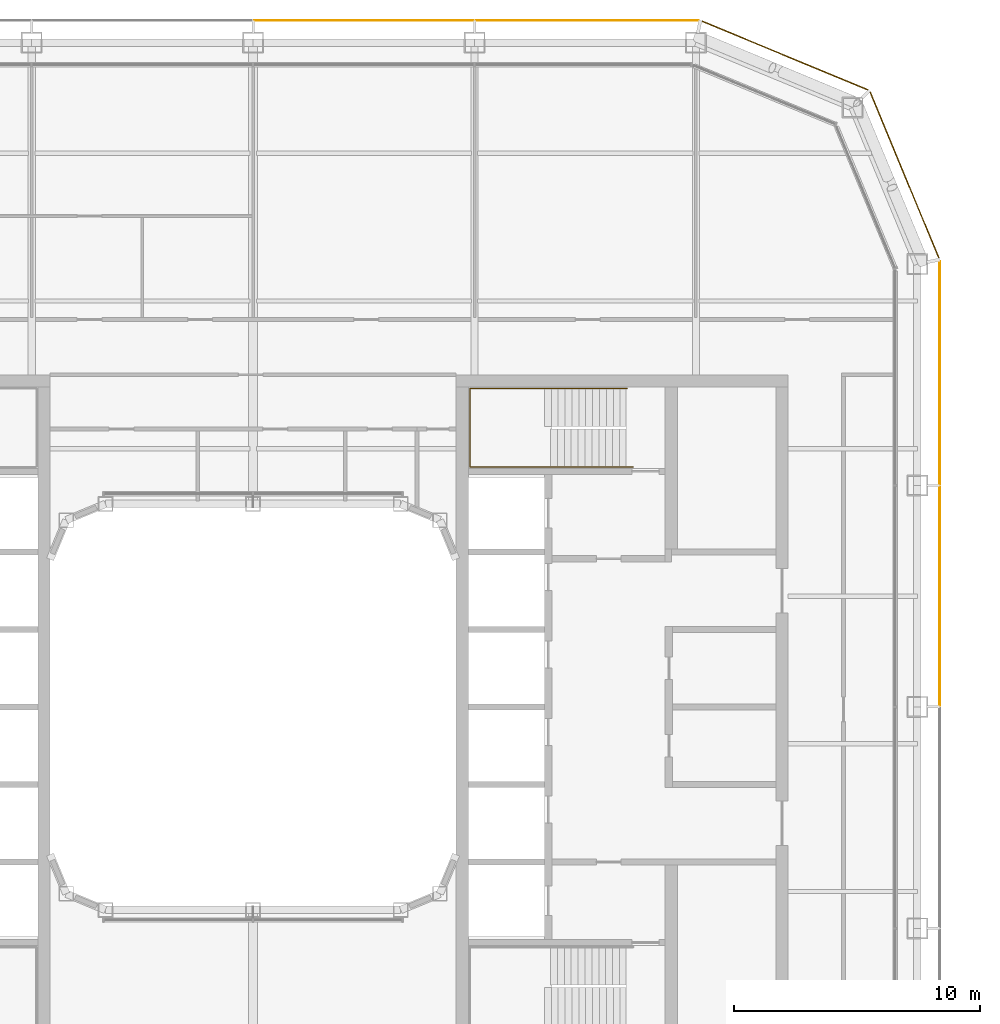
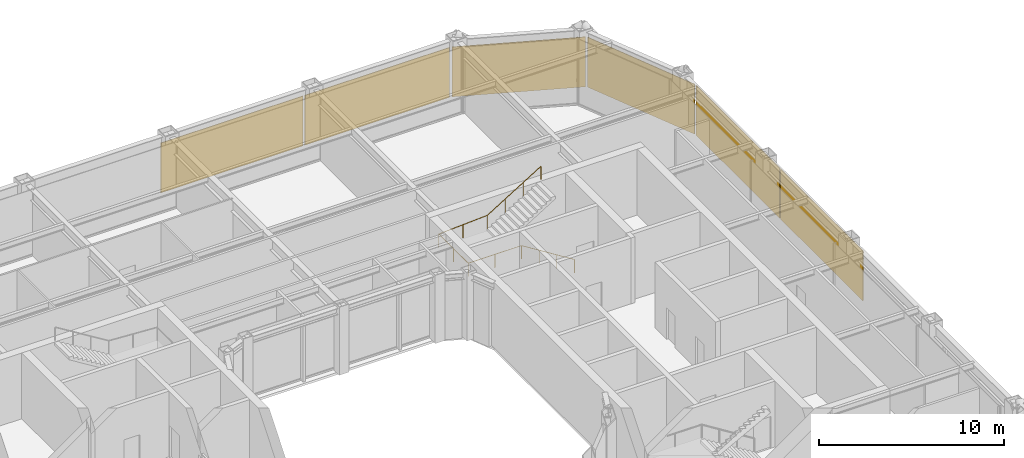
# One storey, part 21 of 22: 6 coverings, 1 railing.
"""IFC4 building model written with IfcOpenShell, lengths in metres."""

from ifc_helpers import new_model, si_unit, direction, frame, origin, origin_2d, place, context, subcontext, project, spatial, rectangle, circle, extrude, material, layer, layer_set, type_object, element, save


model = new_model("IFC4")

# Units and contexts
model_context = context("Model", 3, precision=1e-05, world=origin(), true_north=direction((0.0, 1.0)))
body_context = subcontext(model_context, "Body", "Model", "MODEL_VIEW")
ifc_project = project(units=[si_unit("LENGTHUNIT", "METRE"), si_unit("AREAUNIT", "SQUARE_METRE"), si_unit("VOLUMEUNIT", "CUBIC_METRE"), si_unit("PLANEANGLEUNIT", "RADIAN"), si_unit("MASSUNIT", "GRAM", prefix="KILO")], contexts=[model_context])

# Site, building, storey
site_placement = place(None, origin())
site = spatial("IfcSite", under=ifc_project, at=site_placement, CompositionType="ELEMENT")
building_placement = place(site_placement, origin())
building = spatial("IfcBuilding", under=site, at=building_placement, Name="Siwar Civic Tower", CompositionType="ELEMENT")
storey_placement = place(building_placement, frame((0.0, 0.0, 219.699951171875)))
storey = spatial("IfcBuildingStorey", under=building, at=storey_placement, Name="L47", CompositionType="ELEMENT", Elevation=219.699951171875)

# Railing
ifc_material_1 = material(Name="Stainless steel", Category="steel")
railing_type = type_object("IfcRailingType", Name="CORE-STAIR-HANDRAIL", PredefinedType="HANDRAIL", material=ifc_material_1)
railing_placement = place(storey_placement, frame((15.449951171875, 9.758056640625, 0.173095703125)))
element("IfcRailing", 1, at=railing_placement, inside=storey, type_object=railing_type, Name="Stair handrail ST3", PredefinedType="HANDRAIL", context=body_context, shape_type="SweptSolid", body=[
    extrude(circle(Radius=0.02001953125, at=origin_2d()), frame((0.0, 0.0, 0.8798828125), z_axis=(-0.847063342986, 0.0, 0.531491950051), x_axis=(0.0, -1.0, 0.0)), (0.0, 0.0, 1.0), 3.90771484375),
    extrude(circle(Radius=0.02001953125, at=origin_2d()), frame((-3.31005859375, 0.0, 2.956787109375), z_axis=(-1.0, 0.0, 0.0), x_axis=(0.0, -1.0, 0.0)), (0.0, 0.0, 1.0), 3.331787109375),
    extrude(circle(Radius=0.02001953125, at=origin_2d()), frame((-6.641845703125, 0.0, 2.956787109375), z_axis=(0.0, 1.0, 0.0), x_axis=(-1.0, 0.0, 0.0)), (0.0, 0.0, 1.0), 3.183837890625),
    extrude(circle(Radius=0.02001953125, at=origin_2d()), frame((-6.641845703125, 3.183837890625, 2.956787109375), z_axis=(0.99837434197, 0.0, 0.056997134106), x_axis=(0.0, 1.0, 0.0)), (0.0, 0.0, 1.0), 3.036865234375),
    extrude(circle(Radius=0.02001953125, at=origin_2d()), frame((-3.60986328125, 3.183837890625, 3.1298828125), z_axis=(0.850606129759, 0.0, 0.525803396734), x_axis=(0.0, 1.0, 0.0)), (0.0, 0.0, 1.0), 3.949951171875),
    extrude(circle(Radius=0.02001953125, at=origin_2d()), origin(), (0.0, 0.0, 1.0), 0.85986328125),
    extrude(circle(Radius=0.02001953125, at=origin_2d()), frame((-1.103271484375, 0.0, 0.6923828125)), (0.0, 0.0, 1.0), 0.85986328125),
    extrude(circle(Radius=0.02001953125, at=origin_2d()), frame((-2.206787109375, 0.0, 1.384521484375)), (0.0, 0.0, 1.0), 0.85986328125),
    extrude(circle(Radius=0.02001953125, at=origin_2d()), frame((-3.31005859375, 0.0, 2.076904296875)), (0.0, 0.0, 1.0), 0.85986328125),
    extrude(circle(Radius=0.02001953125, at=origin_2d()), frame((-4.97607421875, 0.0, 2.076904296875)), (0.0, 0.0, 1.0), 0.85986328125),
    extrude(circle(Radius=0.02001953125, at=origin_2d()), frame((-6.641845703125, 0.0, 2.076904296875)), (0.0, 0.0, 1.0), 0.85986328125),
    extrude(circle(Radius=0.02001953125, at=origin_2d()), frame((-6.641845703125, 1.591796875, 2.076904296875)), (0.0, 0.0, 1.0), 0.85986328125),
    extrude(circle(Radius=0.02001953125, at=origin_2d()), frame((-6.641845703125, 3.183837890625, 2.076904296875)), (0.0, 0.0, 1.0), 0.85986328125),
    extrude(circle(Radius=0.02001953125, at=origin_2d()), frame((-5.1259765625, 3.183837890625, 2.16357421875)), (0.0, 0.0, 1.0), 0.85986328125),
    extrude(circle(Radius=0.02001953125, at=origin_2d()), frame((-3.60986328125, 3.183837890625, 2.25)), (0.0, 0.0, 1.0), 0.85986328125),
    extrude(circle(Radius=0.02001953125, at=origin_2d()), frame((-2.489990234375, 3.183837890625, 2.9423828125)), (0.0, 0.0, 1.0), 0.85986328125),
    extrude(circle(Radius=0.02001953125, at=origin_2d()), frame((-1.369873046875, 3.183837890625, 3.634521484375)), (0.0, 0.0, 1.0), 0.85986328125),
    extrude(circle(Radius=0.02001953125, at=origin_2d()), frame((-0.25, 3.183837890625, 4.326904296875)), (0.0, 0.0, 1.0), 0.85986328125),
])

# Coverings
ifc_material_2 = material(Name="Perforated aluminium cassette, pale metal", Category="aluminium")
ifc_layer = layer(ifc_material_2, 0.0400390625)
ifc_layer_set = layer_set([ifc_layer], Name="Perforated aluminium cassette, pale metal")
covering_type = type_object("IfcCoveringType", Name="ENV-OUTER SKIN OS-1", PredefinedType="CLADDING", material=ifc_layer_set)
covering_1_placement = place(storey_placement, frame((27.89990234375, 4.5, -0.14990234375), z_axis=(0.0, 0.0, 1.0), x_axis=(0.0, 1.0, 0.0)))
element("IfcCovering", 2, at=covering_1_placement, inside=storey, type_object=covering_type, Name="OUTER SKIN OS-1 E 3", PredefinedType="CLADDING", context=body_context, shape_type="SweptSolid", body=[
    extrude(rectangle(XDim=8.89990234375, YDim=0.0400390625, at=origin_2d()), origin(), (0.0, 0.0, 1.0), 3.300048828125),
])
covering_2_placement = place(storey_placement, frame((27.89990234375, 13.57958984375, -0.14990234375), z_axis=(0.0, 0.0, 1.0), x_axis=(0.0, 1.0, 0.0)))
element("IfcCovering", 3, at=covering_2_placement, inside=storey, type_object=covering_type, Name="OUTER SKIN OS-1 E 4", PredefinedType="CLADDING", context=body_context, shape_type="SweptSolid", body=[
    extrude(rectangle(XDim=9.05908203125, YDim=0.0400390625, at=origin_2d()), origin(), (0.0, 0.0, 1.0), 3.300048828125),
])
for number, where, z_axis, x_axis, name in (
    (4, (26.476318359375, 21.615966796875, -0.14990234375), (0.0, 0.0, 1.0), (-0.382683432365, 0.923879532511, 0.0), "OUTER SKIN OS-1 NE1 1"),
    (5, (21.615966796875, 26.476318359375, -0.14990234375), (0.0, 0.0, 1.0), (-0.923879532511, 0.382683432365, 0.0), "OUTER SKIN OS-1 NE2 1"),
):
    element("IfcCovering", number, at=place(storey_placement, frame(where, z_axis=z_axis, x_axis=x_axis)), inside=storey, type_object=covering_type, Name=name, PredefinedType="CLADDING", context=body_context, shape_type="SweptSolid", body=[
        extrude(rectangle(XDim=7.300048828125, YDim=0.0400390625, at=origin_2d()), origin(), (0.0, 0.0, 1.0), 3.300048828125),
    ])
covering_3_placement = place(storey_placement, frame((13.57958984375, 27.89990234375, -0.14990234375), z_axis=(0.0, 0.0, 1.0), x_axis=(-1.0, 0.0, 0.0)))
element("IfcCovering", 6, at=covering_3_placement, inside=storey, type_object=covering_type, Name="OUTER SKIN OS-1 N 1", PredefinedType="CLADDING", context=body_context, shape_type="SweptSolid", body=[
    extrude(rectangle(XDim=9.05908203125, YDim=0.0400390625, at=origin_2d()), origin(), (0.0, 0.0, 1.0), 3.300048828125),
])
covering_4_placement = place(storey_placement, frame((4.5, 27.89990234375, -0.14990234375), z_axis=(0.0, 0.0, 1.0), x_axis=(-1.0, 0.0, 0.0)))
element("IfcCovering", 7, at=covering_4_placement, inside=storey, type_object=covering_type, Name="OUTER SKIN OS-1 N 2", PredefinedType="CLADDING", context=body_context, shape_type="SweptSolid", body=[
    extrude(rectangle(XDim=8.89990234375, YDim=0.0400390625, at=origin_2d()), origin(), (0.0, 0.0, 1.0), 3.300048828125),
])

save(model, "model.ifc")
